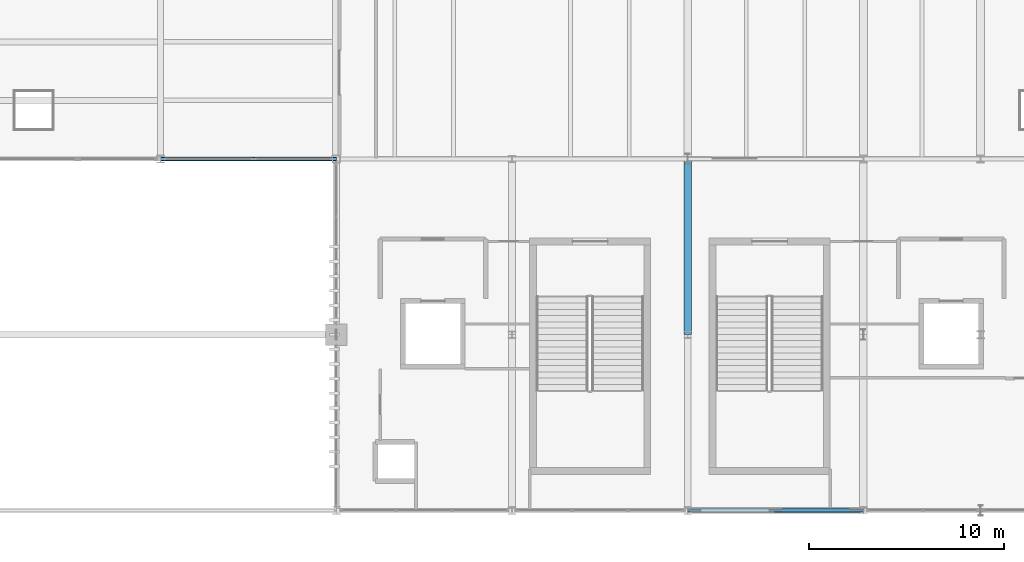
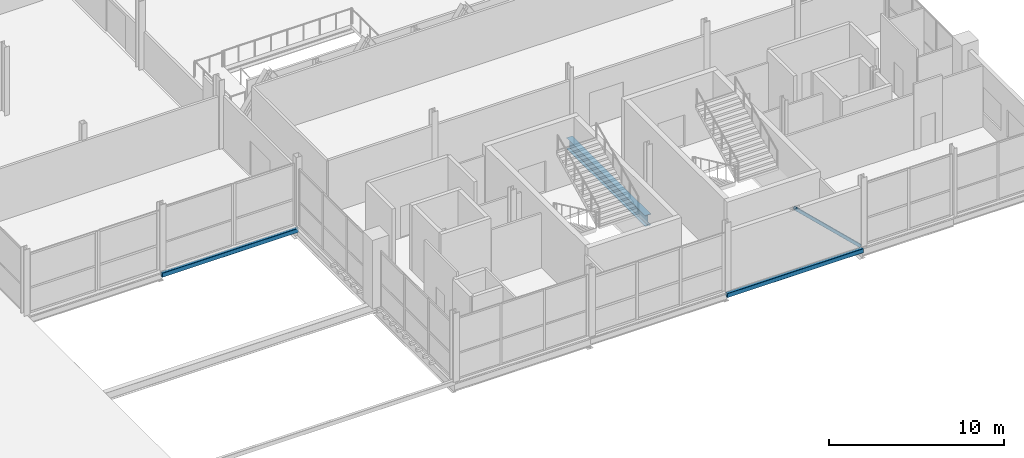
# One storey, part 127 of 224: 3 beams, 1 member.
"""IFC4 building model written with IfcOpenShell, lengths in metres."""

from ifc_helpers import new_model, si_unit, direction, frame, origin, origin_2d, place, context, subcontext, project, spatial, hollow_rectangle, i_section, extrude, material, material_profile, profile_set, type_object, element, save


model = new_model("IFC4")

# Units and contexts
model_context = context("Model", 3, precision=1e-05, world=origin(), true_north=direction((0.0, 1.0)))
body_context = subcontext(model_context, "Body", "Model", "MODEL_VIEW")
ifc_project = project(units=[si_unit("LENGTHUNIT", "METRE"), si_unit("AREAUNIT", "SQUARE_METRE"), si_unit("VOLUMEUNIT", "CUBIC_METRE"), si_unit("PLANEANGLEUNIT", "RADIAN"), si_unit("MASSUNIT", "GRAM", prefix="KILO")], contexts=[model_context])

# Site, building, storey
site_placement = place(None, origin())
site = spatial("IfcSite", under=ifc_project, at=site_placement, CompositionType="ELEMENT")
building_placement = place(site_placement, origin())
building = spatial("IfcBuilding", under=site, at=building_placement, Name="Qamarlyn Nura Convention Centre", CompositionType="ELEMENT")
storey_placement = place(building_placement, frame((0.0, 0.0, 10.800048828125)))
storey = spatial("IfcBuildingStorey", under=building, at=storey_placement, Name="L02", CompositionType="ELEMENT", Elevation=10.800048828125)

# Beams
ifc_material_1 = material(Name="Steel ASTM A992", Category="steel")
ifc_material_profile_1 = material_profile(ifc_material_1, i_section(OverallWidth=0.381103515625, OverallDepth=0.77294921875, WebThickness=0.0166015625, FlangeThickness=0.027587890625, FilletRadius=0.02001953125, at=origin_2d()), Name="W760X257")
ifc_profile_set_1 = profile_set([ifc_material_profile_1], Name="Steel ASTM A992")
beam_type_1 = type_object("IfcBeamType", Name="BM-GIRD-760", PredefinedType="BEAM", material=ifc_profile_set_1)
beam_placement = place(storey_placement, frame((171.0, 9.0, -0.6064453125), z_axis=(0.0, 1.0, 0.0), x_axis=(-1.0, 0.0, 0.0)))
element("IfcBeam", 1, at=beam_placement, inside=storey, type_object=beam_type_1, Name="L02 girder 15 B-C", PredefinedType="BEAM", context=body_context, shape_type="SweptSolid", body=[
    extrude(i_section(OverallWidth=0.381103515625, OverallDepth=0.77294921875, WebThickness=0.0166015625, FlangeThickness=0.027587890625, FilletRadius=0.02001953125, at=origin_2d()), origin(), (0.0, 0.0, 1.0), 9.0),
])
ifc_material_2 = material(Name="Steel ASTM A500 Grade C", Category="steel")
ifc_material_profile_2 = material_profile(ifc_material_2, hollow_rectangle(XDim=0.199951171875, YDim=0.300048828125, WallThickness=0.012451171875, InnerFilletRadius=0.012451171875, OuterFilletRadius=0.02490234375, at=origin_2d()), Name="HSS300X200X12.5")
ifc_profile_set_2 = profile_set([ifc_material_profile_2], Name="Steel ASTM A500 Grade C")
beam_type_2 = type_object("IfcBeamType", Name="BM-SPAN-HSS", PredefinedType="SPANDREL", material=ifc_profile_set_2)
for number, where, z_axis, x_axis, name in (
    (2, (171.0, 0.0, -0.3701171875), (1.0, 0.0, 0.0), (0.0, 1.0, 0.0), "L02 girder A 15-16"),
    (3, (144.0, 18.0, -0.41015625), (1.0, 0.0, 0.0), (0.0, 1.0, 0.0), "L02 girder C 12-13"),
):
    element("IfcBeam", number, at=place(storey_placement, frame(where, z_axis=z_axis, x_axis=x_axis)), inside=storey, type_object=beam_type_2, Name=name, PredefinedType="SPANDREL", context=body_context, shape_type="SweptSolid", body=[
        extrude(hollow_rectangle(XDim=0.199951171875, YDim=0.300048828125, WallThickness=0.012451171875, InnerFilletRadius=0.012451171875, OuterFilletRadius=0.02490234375, at=origin_2d()), origin(), (0.0, 0.0, 1.0), 9.0),
    ])

# Member
ifc_material_profile_3 = material_profile(ifc_material_2, hollow_rectangle(XDim=0.199951171875, YDim=0.199951171875, WallThickness=0.010009765625, InnerFilletRadius=0.010009765625, OuterFilletRadius=0.02001953125, at=origin_2d()), Name="HSS200X200X10")
ifc_profile_set_3 = profile_set([ifc_material_profile_3], Name="Steel ASTM A500 Grade C")
member_type = type_object("IfcMemberType", Name="CBF-BRC-200", PredefinedType="BRACE", material=ifc_profile_set_3)
member_placement = place(storey_placement, frame((179.820068359375, 0.0, 0.0), z_axis=(-0.722491981311, 0.0, 0.691379300342), x_axis=(0.0, -1.0, 0.0)))
element("IfcMember", 4, at=member_placement, inside=storey, type_object=member_type, Name="L02 SCBF chevron brace CBF-E1R", PredefinedType="BRACE", context=body_context, shape_type="SweptSolid", body=[
    extrude(hollow_rectangle(XDim=0.199951171875, YDim=0.199951171875, WallThickness=0.010009765625, InnerFilletRadius=0.010009765625, OuterFilletRadius=0.02001953125, at=origin_2d()), origin(), (0.0, 0.0, 1.0), 5.9794921875),
])

save(model, "model.ifc")
